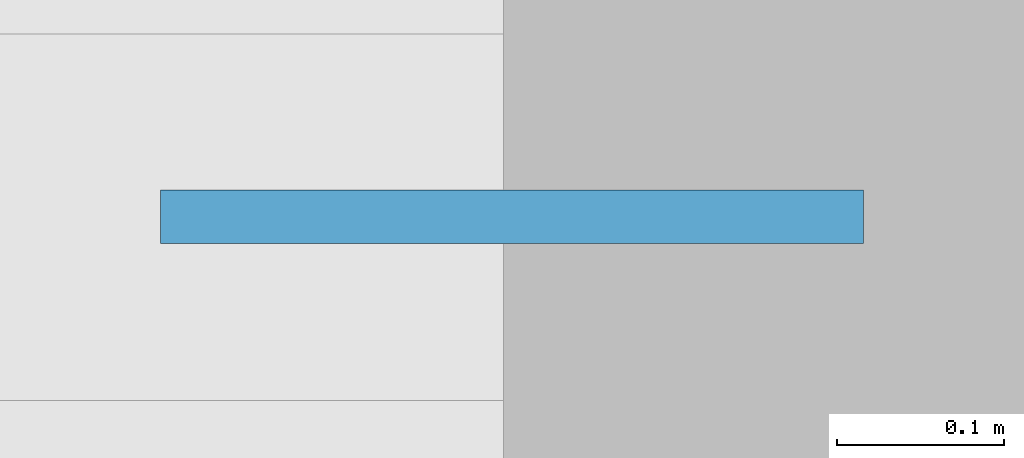
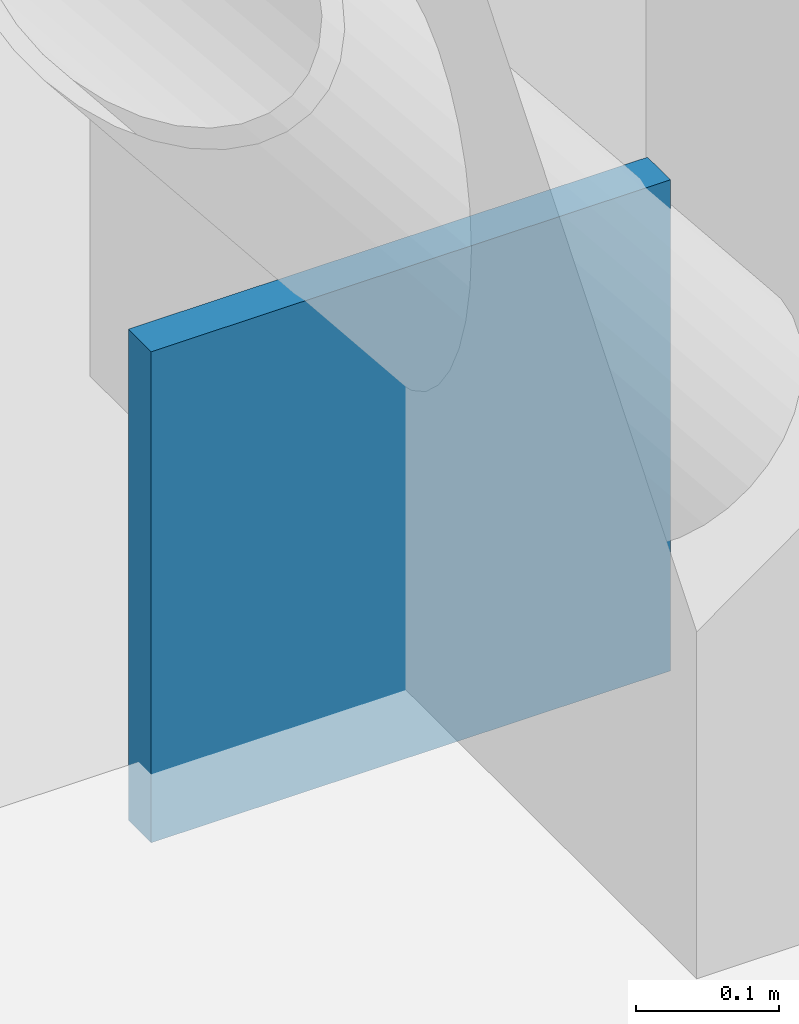
# One storey, part 42 of 61: 1 plate.
"""IFC4 building model written with IfcOpenShell, lengths in metres."""

from ifc_helpers import new_model, si_unit, direction, frame, origin, origin_2d, place, context, subcontext, project, spatial, rectangle, extrude, material, layer, layer_set, type_object, element, save


model = new_model("IFC4")

# Units and contexts
model_context = context("Model", 3, precision=1e-05, world=origin(), true_north=direction((0.0, 1.0)))
body_context = subcontext(model_context, "Body", "Model", "MODEL_VIEW")
ifc_project = project(units=[si_unit("LENGTHUNIT", "METRE"), si_unit("AREAUNIT", "SQUARE_METRE"), si_unit("VOLUMEUNIT", "CUBIC_METRE"), si_unit("PLANEANGLEUNIT", "RADIAN"), si_unit("MASSUNIT", "GRAM", prefix="KILO")], contexts=[model_context])

# Site, building, storey
site_placement = place(None, origin())
site = spatial("IfcSite", under=ifc_project, at=site_placement, CompositionType="ELEMENT")
building_placement = place(site_placement, origin())
building = spatial("IfcBuilding", under=site, at=building_placement, Name="Calvrana Isthmian Art Gallery", CompositionType="ELEMENT")
storey_placement = place(building_placement, frame((0.0, 0.0, -5.39990234375)))
storey = spatial("IfcBuildingStorey", under=building, at=storey_placement, Name="B1", CompositionType="ELEMENT", Elevation=-5.39990234375)

# Plate
ifc_material = material(Name="Steel ASTM A572 Gr 50", Category="steel")
ifc_layer = layer(ifc_material, 0.031982421875, Name="Steel ASTM A572 Gr 50")
ifc_layer_set = layer_set([ifc_layer], Name="Steel ASTM A572 Gr 50")
plate_type = type_object("IfcPlateType", Name="PL-GUSSET-32", PredefinedType="USERDEFINED", material=ifc_layer_set)
plate_placement = place(storey_placement, frame((126.97998046875, 98.39990234375, -0.06005859375), z_axis=(0.0, 0.0, 1.0), x_axis=(1.0, 0.0, 0.0)))
element("IfcPlate", 1, at=plate_placement, inside=storey, type_object=plate_type, Name="Chevron brace gusset plate B1-12R", ObjectType="GUSSET PLATE", PredefinedType="USERDEFINED", context=body_context, shape_type="SweptSolid", body=[
    extrude(rectangle(XDim=0.419921875, YDim=0.031982421875, at=origin_2d()), origin(), (0.0, 0.0, 1.0), 0.419921875),
])

save(model, "model.ifc")
